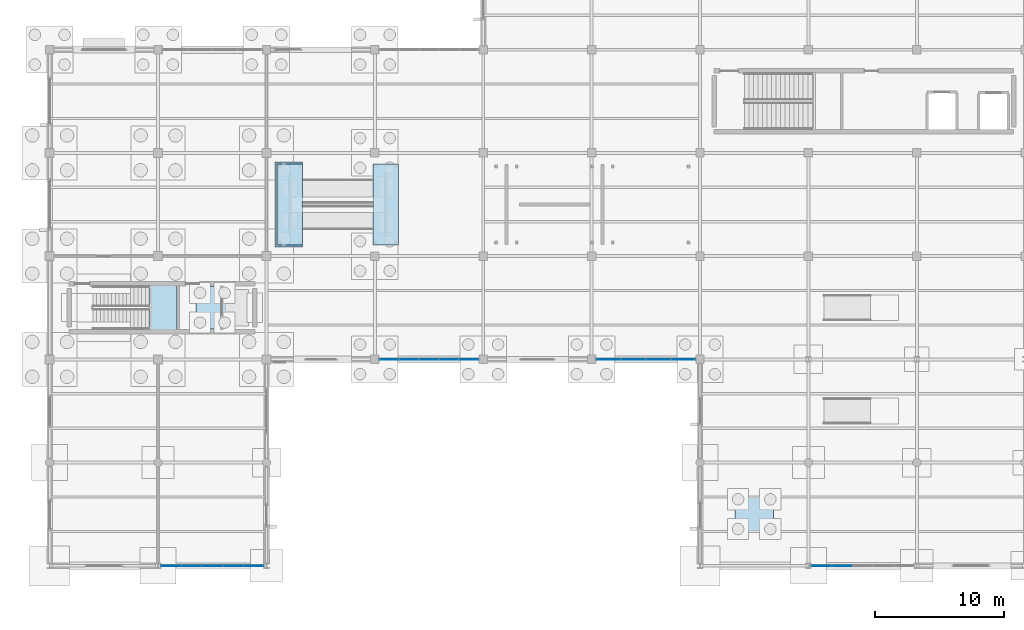
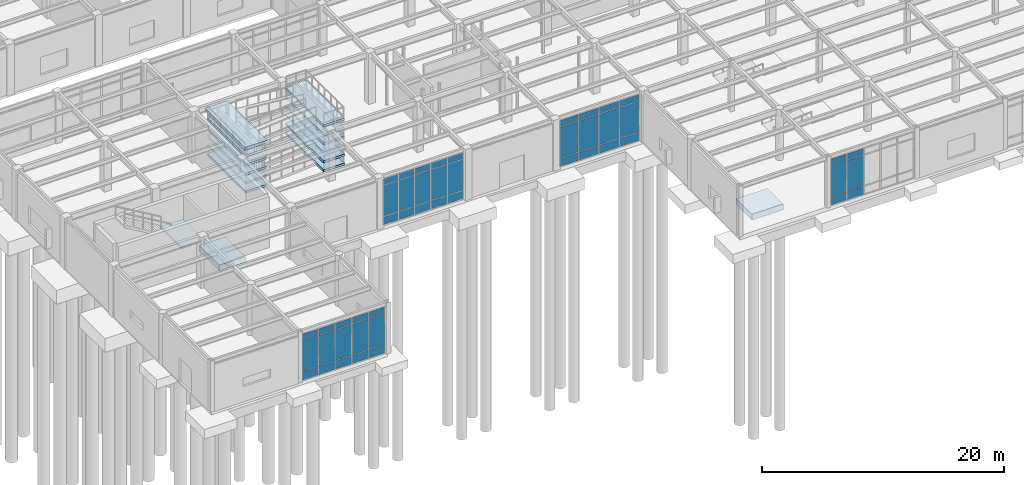
# One storey, part 64 of 138: 48 plates, 15 slabs, 6 elements without a shape of their own.
"""IFC4 building model written with IfcOpenShell, lengths in metres."""

from ifc_helpers import new_model, si_unit, direction, frame, origin, origin_2d, place, context, subcontext, project, spatial, polyline, rectangle, outline, extrude, material, layer, layer_set, type_object, element, aggregate, save


model = new_model("IFC4")

# Units and contexts
model_context = context("Model", 3, precision=1e-05, world=origin(), true_north=direction((0.0, 1.0)))
body_context = subcontext(model_context, "Body", "Model", "MODEL_VIEW")
ifc_project = project(units=[si_unit("LENGTHUNIT", "METRE"), si_unit("AREAUNIT", "SQUARE_METRE"), si_unit("VOLUMEUNIT", "CUBIC_METRE"), si_unit("PLANEANGLEUNIT", "RADIAN"), si_unit("MASSUNIT", "GRAM", prefix="KILO")], contexts=[model_context])

# Site, building, storey
site_placement = place(None, origin())
site = spatial("IfcSite", under=ifc_project, at=site_placement, CompositionType="ELEMENT")
building_placement = place(site_placement, origin())
building = spatial("IfcBuilding", under=site, at=building_placement, Name="Kranzveld Transit Interchange", CompositionType="ELEMENT")
storey_placement = place(building_placement, origin())
storey = spatial("IfcBuildingStorey", under=building, at=storey_placement, Name="L00", CompositionType="ELEMENT", Elevation=0.0)

# Curtain wall, plates
ifc_material_1 = material(Name="Bronze-anodised thermally broken aluminium", Category="aluminium")
ifc_layer_1 = layer(ifc_material_1, 0.159912109375)
ifc_layer_set_1 = layer_set([ifc_layer_1], Name="Bronze-anodised thermally broken aluminium")
curtain_wall_type_1 = type_object("IfcCurtainWallType", Name="Bus Boarding Glazed Screen CW-3", PredefinedType="USERDEFINED", material=ifc_layer_set_1)
curtain_wall_1_placement = place(storey_placement, origin())
curtain_wall_1 = element("IfcCurtainWall", 1, at=curtain_wall_1_placement, inside=storey, type_object=curtain_wall_type_1, Name="L00 Curtain Wall 06/C-07/C", ObjectType="CURTAIN WALL", PredefinedType="USERDEFINED")
ifc_material_2 = material(Name="Solar-control double glazing", Category="glass")
ifc_layer_2 = layer(ifc_material_2, 0.031982421875)
ifc_layer_set_2 = layer_set([ifc_layer_2], Name="Solar-control double glazing")
plate_type_1 = type_object("IfcPlateType", Name="Curtain Panel Acoustic Glazing 32", PredefinedType="CURTAIN_PANEL", material=ifc_layer_set_2)
plate_1_placement = place(storey_placement, frame((43.308837890625, 16.0, 0.06005859375), z_axis=(0.0, 0.0, 1.0), x_axis=(1.0, 0.0, 0.0)))
plate_1 = element("IfcPlate", 2, at=plate_1_placement, type_object=plate_type_1, Name="CW-3 panel 1.1", PredefinedType="CURTAIN_PANEL", context=body_context, shape_type="SweptSolid", body=[
    extrude(rectangle(XDim=1.847412109375, YDim=0.031982421875, at=origin_2d()), origin(), (0.0, 0.0, 1.0), 0.81005859375),
])
plate_2_placement = place(storey_placement, frame((43.308837890625, 16.0, 0.929931640625), z_axis=(0.0, 0.0, 1.0), x_axis=(1.0, 0.0, 0.0)))
plate_2 = element("IfcPlate", 3, at=plate_2_placement, type_object=plate_type_1, Name="CW-3 panel 1.2", PredefinedType="CURTAIN_PANEL", context=body_context, shape_type="SweptSolid", body=[
    extrude(rectangle(XDim=1.847412109375, YDim=0.031982421875, at=origin_2d()), origin(), (0.0, 0.0, 1.0), 3.08056640625),
])
plate_3_placement = place(storey_placement, frame((43.308837890625, 16.0, 4.0703125), z_axis=(0.0, 0.0, 1.0), x_axis=(1.0, 0.0, 0.0)))
plate_3 = element("IfcPlate", 4, at=plate_3_placement, type_object=plate_type_1, Name="CW-3 panel 1.3", PredefinedType="CURTAIN_PANEL", context=body_context, shape_type="SweptSolid", body=[
    extrude(rectangle(XDim=1.847412109375, YDim=0.031982421875, at=origin_2d()), origin(), (0.0, 0.0, 1.0), 0.610107421875),
])
plate_4_placement = place(storey_placement, frame((45.231201171875, 16.0, 0.06005859375), z_axis=(0.0, 0.0, 1.0), x_axis=(1.0, 0.0, 0.0)))
plate_4 = element("IfcPlate", 5, at=plate_4_placement, type_object=plate_type_1, Name="CW-3 panel 2.1", PredefinedType="CURTAIN_PANEL", context=body_context, shape_type="SweptSolid", body=[
    extrude(rectangle(XDim=1.87744140625, YDim=0.031982421875, at=origin_2d()), origin(), (0.0, 0.0, 1.0), 0.81005859375),
])
plate_5_placement = place(storey_placement, frame((45.231201171875, 16.0, 0.929931640625), z_axis=(0.0, 0.0, 1.0), x_axis=(1.0, 0.0, 0.0)))
plate_5 = element("IfcPlate", 6, at=plate_5_placement, type_object=plate_type_1, Name="CW-3 panel 2.2", PredefinedType="CURTAIN_PANEL", context=body_context, shape_type="SweptSolid", body=[
    extrude(rectangle(XDim=1.87744140625, YDim=0.031982421875, at=origin_2d()), origin(), (0.0, 0.0, 1.0), 3.08056640625),
])
plate_6_placement = place(storey_placement, frame((45.231201171875, 16.0, 4.0703125), z_axis=(0.0, 0.0, 1.0), x_axis=(1.0, 0.0, 0.0)))
plate_6 = element("IfcPlate", 7, at=plate_6_placement, type_object=plate_type_1, Name="CW-3 panel 2.3", PredefinedType="CURTAIN_PANEL", context=body_context, shape_type="SweptSolid", body=[
    extrude(rectangle(XDim=1.87744140625, YDim=0.031982421875, at=origin_2d()), origin(), (0.0, 0.0, 1.0), 0.610107421875),
])
plate_7_placement = place(storey_placement, frame((47.168701171875, 16.0, 0.06005859375), z_axis=(0.0, 0.0, 1.0), x_axis=(1.0, 0.0, 0.0)))
plate_7 = element("IfcPlate", 8, at=plate_7_placement, type_object=plate_type_1, Name="CW-3 panel 3.1", PredefinedType="CURTAIN_PANEL", context=body_context, shape_type="SweptSolid", body=[
    extrude(rectangle(XDim=1.87744140625, YDim=0.031982421875, at=origin_2d()), origin(), (0.0, 0.0, 1.0), 0.81005859375),
])
plate_8_placement = place(storey_placement, frame((47.168701171875, 16.0, 0.929931640625), z_axis=(0.0, 0.0, 1.0), x_axis=(1.0, 0.0, 0.0)))
plate_8 = element("IfcPlate", 9, at=plate_8_placement, type_object=plate_type_1, Name="CW-3 panel 3.2", PredefinedType="CURTAIN_PANEL", context=body_context, shape_type="SweptSolid", body=[
    extrude(rectangle(XDim=1.87744140625, YDim=0.031982421875, at=origin_2d()), origin(), (0.0, 0.0, 1.0), 3.08056640625),
])
plate_9_placement = place(storey_placement, frame((47.168701171875, 16.0, 4.0703125), z_axis=(0.0, 0.0, 1.0), x_axis=(1.0, 0.0, 0.0)))
plate_9 = element("IfcPlate", 10, at=plate_9_placement, type_object=plate_type_1, Name="CW-3 panel 3.3", PredefinedType="CURTAIN_PANEL", context=body_context, shape_type="SweptSolid", body=[
    extrude(rectangle(XDim=1.87744140625, YDim=0.031982421875, at=origin_2d()), origin(), (0.0, 0.0, 1.0), 0.610107421875),
])
plate_10_placement = place(storey_placement, frame((49.09130859375, 16.0, 0.06005859375), z_axis=(0.0, 0.0, 1.0), x_axis=(1.0, 0.0, 0.0)))
plate_10 = element("IfcPlate", 11, at=plate_10_placement, type_object=plate_type_1, Name="CW-3 panel 4.1", PredefinedType="CURTAIN_PANEL", context=body_context, shape_type="SweptSolid", body=[
    extrude(rectangle(XDim=1.847412109375, YDim=0.031982421875, at=origin_2d()), origin(), (0.0, 0.0, 1.0), 0.81005859375),
])
plate_11_placement = place(storey_placement, frame((49.09130859375, 16.0, 0.929931640625), z_axis=(0.0, 0.0, 1.0), x_axis=(1.0, 0.0, 0.0)))
plate_11 = element("IfcPlate", 12, at=plate_11_placement, type_object=plate_type_1, Name="CW-3 panel 4.2", PredefinedType="CURTAIN_PANEL", context=body_context, shape_type="SweptSolid", body=[
    extrude(rectangle(XDim=1.847412109375, YDim=0.031982421875, at=origin_2d()), origin(), (0.0, 0.0, 1.0), 3.08056640625),
])
plate_12_placement = place(storey_placement, frame((49.09130859375, 16.0, 4.0703125), z_axis=(0.0, 0.0, 1.0), x_axis=(1.0, 0.0, 0.0)))
plate_12 = element("IfcPlate", 13, at=plate_12_placement, type_object=plate_type_1, Name="CW-3 panel 4.3", PredefinedType="CURTAIN_PANEL", context=body_context, shape_type="SweptSolid", body=[
    extrude(rectangle(XDim=1.847412109375, YDim=0.031982421875, at=origin_2d()), origin(), (0.0, 0.0, 1.0), 0.610107421875),
])
aggregate(curtain_wall_1, [plate_1, plate_2, plate_3, plate_4, plate_5, plate_6, plate_7, plate_8, plate_9, plate_10, plate_11, plate_12])

ifc_material_3 = material(Name="Bronze-anodised thermally broken aluminium", Category="aluminium")
ifc_layer_3 = layer(ifc_material_3, 0.1650390625)
ifc_layer_set_3 = layer_set([ifc_layer_3], Name="Bronze-anodised thermally broken aluminium")
curtain_wall_type_2 = type_object("IfcCurtainWallType", Name="Sunny Court Arcade Curtain Wall CW-2", PredefinedType="USERDEFINED", material=ifc_layer_set_3)
curtain_wall_2_placement = place(storey_placement, origin())
curtain_wall_2 = element("IfcCurtainWall", 14, at=curtain_wall_2_placement, inside=storey, type_object=curtain_wall_type_2, Name="L00 Curtain Wall 04/C-05/C", ObjectType="CURTAIN WALL", PredefinedType="USERDEFINED")
ifc_material_4 = material(Name="Solar-control double glazing", Category="glass")
ifc_layer_4 = layer(ifc_material_4, 0.02392578125)
ifc_layer_set_4 = layer_set([ifc_layer_4], Name="Solar-control double glazing")
plate_type_2 = type_object("IfcPlateType", Name="Curtain Panel Clear Glazing 24", PredefinedType="CURTAIN_PANEL", material=ifc_layer_set_4)
plate_13_placement = place(storey_placement, frame((26.316162109375, 16.0, 0.06005859375), z_axis=(0.0, 0.0, 1.0), x_axis=(1.0, 0.0, 0.0)))
plate_13 = element("IfcPlate", 15, at=plate_13_placement, type_object=plate_type_2, Name="CW-2 panel 1.1", PredefinedType="CURTAIN_PANEL", context=body_context, shape_type="SweptSolid", body=[
    extrude(rectangle(XDim=1.452392578125, YDim=0.02392578125, at=origin_2d()), origin(), (0.0, 0.0, 1.0), 0.81005859375),
])
plate_14_placement = place(storey_placement, frame((26.316162109375, 16.0, 0.929931640625), z_axis=(0.0, 0.0, 1.0), x_axis=(1.0, 0.0, 0.0)))
plate_14 = element("IfcPlate", 16, at=plate_14_placement, type_object=plate_type_2, Name="CW-2 panel 1.2", PredefinedType="CURTAIN_PANEL", context=body_context, shape_type="SweptSolid", body=[
    extrude(rectangle(XDim=1.452392578125, YDim=0.02392578125, at=origin_2d()), origin(), (0.0, 0.0, 1.0), 3.08056640625),
])
plate_15_placement = place(storey_placement, frame((26.316162109375, 16.0, 4.0703125), z_axis=(0.0, 0.0, 1.0), x_axis=(1.0, 0.0, 0.0)))
plate_15 = element("IfcPlate", 17, at=plate_15_placement, type_object=plate_type_2, Name="CW-2 panel 1.3", PredefinedType="CURTAIN_PANEL", context=body_context, shape_type="SweptSolid", body=[
    extrude(rectangle(XDim=1.452392578125, YDim=0.02392578125, at=origin_2d()), origin(), (0.0, 0.0, 1.0), 0.610107421875),
])
plate_16_placement = place(storey_placement, frame((27.85009765625, 16.0, 0.06005859375), z_axis=(0.0, 0.0, 1.0), x_axis=(1.0, 0.0, 0.0)))
plate_16 = element("IfcPlate", 18, at=plate_16_placement, type_object=plate_type_2, Name="CW-2 panel 2.1", PredefinedType="CURTAIN_PANEL", context=body_context, shape_type="SweptSolid", body=[
    extrude(rectangle(XDim=1.485107421875, YDim=0.02392578125, at=origin_2d()), origin(), (0.0, 0.0, 1.0), 0.81005859375),
])
plate_17_placement = place(storey_placement, frame((27.85009765625, 16.0, 0.929931640625), z_axis=(0.0, 0.0, 1.0), x_axis=(1.0, 0.0, 0.0)))
plate_17 = element("IfcPlate", 19, at=plate_17_placement, type_object=plate_type_2, Name="CW-2 panel 2.2", PredefinedType="CURTAIN_PANEL", context=body_context, shape_type="SweptSolid", body=[
    extrude(rectangle(XDim=1.485107421875, YDim=0.02392578125, at=origin_2d()), origin(), (0.0, 0.0, 1.0), 3.08056640625),
])
plate_18_placement = place(storey_placement, frame((27.85009765625, 16.0, 4.0703125), z_axis=(0.0, 0.0, 1.0), x_axis=(1.0, 0.0, 0.0)))
plate_18 = element("IfcPlate", 20, at=plate_18_placement, type_object=plate_type_2, Name="CW-2 panel 2.3", PredefinedType="CURTAIN_PANEL", context=body_context, shape_type="SweptSolid", body=[
    extrude(rectangle(XDim=1.485107421875, YDim=0.02392578125, at=origin_2d()), origin(), (0.0, 0.0, 1.0), 0.610107421875),
])
plate_19_placement = place(storey_placement, frame((29.39990234375, 16.0, 0.06005859375), z_axis=(0.0, 0.0, 1.0), x_axis=(1.0, 0.0, 0.0)))
plate_19 = element("IfcPlate", 21, at=plate_19_placement, type_object=plate_type_2, Name="CW-2 panel 3.1", PredefinedType="CURTAIN_PANEL", context=body_context, shape_type="SweptSolid", body=[
    extrude(rectangle(XDim=1.485107421875, YDim=0.02392578125, at=origin_2d()), origin(), (0.0, 0.0, 1.0), 0.81005859375),
])
plate_20_placement = place(storey_placement, frame((29.39990234375, 16.0, 0.929931640625), z_axis=(0.0, 0.0, 1.0), x_axis=(1.0, 0.0, 0.0)))
plate_20 = element("IfcPlate", 22, at=plate_20_placement, type_object=plate_type_2, Name="CW-2 panel 3.2", PredefinedType="CURTAIN_PANEL", context=body_context, shape_type="SweptSolid", body=[
    extrude(rectangle(XDim=1.485107421875, YDim=0.02392578125, at=origin_2d()), origin(), (0.0, 0.0, 1.0), 3.08056640625),
])
plate_21_placement = place(storey_placement, frame((29.39990234375, 16.0, 4.0703125), z_axis=(0.0, 0.0, 1.0), x_axis=(1.0, 0.0, 0.0)))
plate_21 = element("IfcPlate", 23, at=plate_21_placement, type_object=plate_type_2, Name="CW-2 panel 3.3", PredefinedType="CURTAIN_PANEL", context=body_context, shape_type="SweptSolid", body=[
    extrude(rectangle(XDim=1.485107421875, YDim=0.02392578125, at=origin_2d()), origin(), (0.0, 0.0, 1.0), 0.610107421875),
])
plate_22_placement = place(storey_placement, frame((30.949951171875, 16.0, 0.06005859375), z_axis=(0.0, 0.0, 1.0), x_axis=(1.0, 0.0, 0.0)))
plate_22 = element("IfcPlate", 24, at=plate_22_placement, type_object=plate_type_2, Name="CW-2 panel 4.1", PredefinedType="CURTAIN_PANEL", context=body_context, shape_type="SweptSolid", body=[
    extrude(rectangle(XDim=1.485107421875, YDim=0.02392578125, at=origin_2d()), origin(), (0.0, 0.0, 1.0), 0.81005859375),
])
plate_23_placement = place(storey_placement, frame((30.949951171875, 16.0, 0.929931640625), z_axis=(0.0, 0.0, 1.0), x_axis=(1.0, 0.0, 0.0)))
plate_23 = element("IfcPlate", 25, at=plate_23_placement, type_object=plate_type_2, Name="CW-2 panel 4.2", PredefinedType="CURTAIN_PANEL", context=body_context, shape_type="SweptSolid", body=[
    extrude(rectangle(XDim=1.485107421875, YDim=0.02392578125, at=origin_2d()), origin(), (0.0, 0.0, 1.0), 3.08056640625),
])
plate_24_placement = place(storey_placement, frame((30.949951171875, 16.0, 4.0703125), z_axis=(0.0, 0.0, 1.0), x_axis=(1.0, 0.0, 0.0)))
plate_24 = element("IfcPlate", 26, at=plate_24_placement, type_object=plate_type_2, Name="CW-2 panel 4.3", PredefinedType="CURTAIN_PANEL", context=body_context, shape_type="SweptSolid", body=[
    extrude(rectangle(XDim=1.485107421875, YDim=0.02392578125, at=origin_2d()), origin(), (0.0, 0.0, 1.0), 0.610107421875),
])
plate_25_placement = place(storey_placement, frame((32.483642578125, 16.0, 0.06005859375), z_axis=(0.0, 0.0, 1.0), x_axis=(1.0, 0.0, 0.0)))
plate_25 = element("IfcPlate", 27, at=plate_25_placement, type_object=plate_type_2, Name="CW-2 panel 5.1", PredefinedType="CURTAIN_PANEL", context=body_context, shape_type="SweptSolid", body=[
    extrude(rectangle(XDim=1.452392578125, YDim=0.02392578125, at=origin_2d()), origin(), (0.0, 0.0, 1.0), 0.81005859375),
])
plate_26_placement = place(storey_placement, frame((32.483642578125, 16.0, 0.929931640625), z_axis=(0.0, 0.0, 1.0), x_axis=(1.0, 0.0, 0.0)))
plate_26 = element("IfcPlate", 28, at=plate_26_placement, type_object=plate_type_2, Name="CW-2 panel 5.2", PredefinedType="CURTAIN_PANEL", context=body_context, shape_type="SweptSolid", body=[
    extrude(rectangle(XDim=1.452392578125, YDim=0.02392578125, at=origin_2d()), origin(), (0.0, 0.0, 1.0), 3.08056640625),
])
plate_27_placement = place(storey_placement, frame((32.483642578125, 16.0, 4.0703125), z_axis=(0.0, 0.0, 1.0), x_axis=(1.0, 0.0, 0.0)))
plate_27 = element("IfcPlate", 29, at=plate_27_placement, type_object=plate_type_2, Name="CW-2 panel 5.3", PredefinedType="CURTAIN_PANEL", context=body_context, shape_type="SweptSolid", body=[
    extrude(rectangle(XDim=1.452392578125, YDim=0.02392578125, at=origin_2d()), origin(), (0.0, 0.0, 1.0), 0.610107421875),
])
aggregate(curtain_wall_2, [plate_13, plate_14, plate_15, plate_16, plate_17, plate_18, plate_19, plate_20, plate_21, plate_22, plate_23, plate_24, plate_25, plate_26, plate_27])

ifc_material_5 = material(Name="Bronze-anodised thermally broken aluminium", Category="aluminium")
ifc_layer_5 = layer(ifc_material_5, 0.14990234375)
ifc_layer_set_5 = layer_set([ifc_layer_5], Name="Bronze-anodised thermally broken aluminium")
curtain_wall_type_3 = type_object("IfcCurtainWallType", Name="Public Passage Clerestory Screen CW-4", PredefinedType="USERDEFINED", material=ifc_layer_set_5)
curtain_wall_3_placement = place(storey_placement, origin())
curtain_wall_3 = element("IfcCurtainWall", 30, at=curtain_wall_3_placement, inside=storey, type_object=curtain_wall_type_3, Name="L00 Curtain Wall 08/A-09/A", ObjectType="CURTAIN WALL", PredefinedType="USERDEFINED")
ifc_material_6 = material(Name="Solar-control double glazing", Category="glass")
ifc_layer_6 = layer(ifc_material_6, 0.0419921875)
ifc_layer_set_6 = layer_set([ifc_layer_6], Name="Solar-control double glazing")
plate_type_3 = type_object("IfcPlateType", Name="Curtain Panel Laminated Glazing 42", PredefinedType="CURTAIN_PANEL", material=ifc_layer_set_6)
plate_28_placement = place(storey_placement, frame((59.814697265625, 0.0, 0.06005859375), z_axis=(0.0, 0.0, 1.0), x_axis=(1.0, 0.0, 0.0)))
plate_28 = element("IfcPlate", 31, at=plate_28_placement, type_object=plate_type_3, Name="CW-4 panel 1.1", PredefinedType="CURTAIN_PANEL", context=body_context, shape_type="SweptSolid", body=[
    extrude(rectangle(XDim=1.51025390625, YDim=0.0419921875, at=origin_2d()), origin(), (0.0, 0.0, 1.0), 0.81005859375),
])
plate_29_placement = place(storey_placement, frame((59.814697265625, 0.0, 0.929931640625), z_axis=(0.0, 0.0, 1.0), x_axis=(1.0, 0.0, 0.0)))
plate_29 = element("IfcPlate", 32, at=plate_29_placement, type_object=plate_type_3, Name="CW-4 panel 1.2", PredefinedType="CURTAIN_PANEL", context=body_context, shape_type="SweptSolid", body=[
    extrude(rectangle(XDim=1.51025390625, YDim=0.0419921875, at=origin_2d()), origin(), (0.0, 0.0, 1.0), 3.08056640625),
])
plate_30_placement = place(storey_placement, frame((59.814697265625, 0.0, 4.0703125), z_axis=(0.0, 0.0, 1.0), x_axis=(1.0, 0.0, 0.0)))
plate_30 = element("IfcPlate", 33, at=plate_30_placement, type_object=plate_type_3, Name="CW-4 panel 1.3", PredefinedType="CURTAIN_PANEL", context=body_context, shape_type="SweptSolid", body=[
    extrude(rectangle(XDim=1.51025390625, YDim=0.0419921875, at=origin_2d()), origin(), (0.0, 0.0, 1.0), 0.610107421875),
])
plate_31_placement = place(storey_placement, frame((61.39990234375, 0.0, 0.06005859375), z_axis=(0.0, 0.0, 1.0), x_axis=(1.0, 0.0, 0.0)))
plate_31 = element("IfcPlate", 34, at=plate_31_placement, type_object=plate_type_3, Name="CW-4 panel 2.1", PredefinedType="CURTAIN_PANEL", context=body_context, shape_type="SweptSolid", body=[
    extrude(rectangle(XDim=1.540283203125, YDim=0.0419921875, at=origin_2d()), origin(), (0.0, 0.0, 1.0), 0.81005859375),
])
plate_32_placement = place(storey_placement, frame((61.39990234375, 0.0, 0.929931640625), z_axis=(0.0, 0.0, 1.0), x_axis=(1.0, 0.0, 0.0)))
plate_32 = element("IfcPlate", 35, at=plate_32_placement, type_object=plate_type_3, Name="CW-4 panel 2.2", PredefinedType="CURTAIN_PANEL", context=body_context, shape_type="SweptSolid", body=[
    extrude(rectangle(XDim=1.540283203125, YDim=0.0419921875, at=origin_2d()), origin(), (0.0, 0.0, 1.0), 3.08056640625),
])
plate_33_placement = place(storey_placement, frame((61.39990234375, 0.0, 4.0703125), z_axis=(0.0, 0.0, 1.0), x_axis=(1.0, 0.0, 0.0)))
plate_33 = element("IfcPlate", 36, at=plate_33_placement, type_object=plate_type_3, Name="CW-4 panel 2.3", PredefinedType="CURTAIN_PANEL", context=body_context, shape_type="SweptSolid", body=[
    extrude(rectangle(XDim=1.540283203125, YDim=0.0419921875, at=origin_2d()), origin(), (0.0, 0.0, 1.0), 0.610107421875),
])
aggregate(curtain_wall_3, [plate_28, plate_29, plate_30, plate_31, plate_32, plate_33])

curtain_wall_4_placement = place(storey_placement, origin())
curtain_wall_4 = element("IfcCurtainWall", 37, at=curtain_wall_4_placement, inside=storey, type_object=curtain_wall_type_3, Name="L00 Curtain Wall 02/A-03/A", ObjectType="CURTAIN WALL", PredefinedType="USERDEFINED")
plate_34_placement = place(storey_placement, frame((9.41455078125, 0.0, 0.06005859375), z_axis=(0.0, 0.0, 1.0), x_axis=(1.0, 0.0, 0.0)))
plate_34 = element("IfcPlate", 38, at=plate_34_placement, type_object=plate_type_3, Name="CW-4 panel 1.1", PredefinedType="CURTAIN_PANEL", context=body_context, shape_type="SweptSolid", body=[
    extrude(rectangle(XDim=1.51025390625, YDim=0.0419921875, at=origin_2d()), origin(), (0.0, 0.0, 1.0), 0.81005859375),
])
plate_35_placement = place(storey_placement, frame((9.41455078125, 0.0, 0.929931640625), z_axis=(0.0, 0.0, 1.0), x_axis=(1.0, 0.0, 0.0)))
plate_35 = element("IfcPlate", 39, at=plate_35_placement, type_object=plate_type_3, Name="CW-4 panel 1.2", PredefinedType="CURTAIN_PANEL", context=body_context, shape_type="SweptSolid", body=[
    extrude(rectangle(XDim=1.51025390625, YDim=0.0419921875, at=origin_2d()), origin(), (0.0, 0.0, 1.0), 3.08056640625),
])
plate_36_placement = place(storey_placement, frame((9.41455078125, 0.0, 4.0703125), z_axis=(0.0, 0.0, 1.0), x_axis=(1.0, 0.0, 0.0)))
plate_36 = element("IfcPlate", 40, at=plate_36_placement, type_object=plate_type_3, Name="CW-4 panel 1.3", PredefinedType="CURTAIN_PANEL", context=body_context, shape_type="SweptSolid", body=[
    extrude(rectangle(XDim=1.51025390625, YDim=0.0419921875, at=origin_2d()), origin(), (0.0, 0.0, 1.0), 0.610107421875),
])
plate_37_placement = place(storey_placement, frame((10.999755859375, 0.0, 0.06005859375), z_axis=(0.0, 0.0, 1.0), x_axis=(1.0, 0.0, 0.0)))
plate_37 = element("IfcPlate", 41, at=plate_37_placement, type_object=plate_type_3, Name="CW-4 panel 2.1", PredefinedType="CURTAIN_PANEL", context=body_context, shape_type="SweptSolid", body=[
    extrude(rectangle(XDim=1.540283203125, YDim=0.0419921875, at=origin_2d()), origin(), (0.0, 0.0, 1.0), 0.81005859375),
])
plate_38_placement = place(storey_placement, frame((10.999755859375, 0.0, 0.929931640625), z_axis=(0.0, 0.0, 1.0), x_axis=(1.0, 0.0, 0.0)))
plate_38 = element("IfcPlate", 42, at=plate_38_placement, type_object=plate_type_3, Name="CW-4 panel 2.2", PredefinedType="CURTAIN_PANEL", context=body_context, shape_type="SweptSolid", body=[
    extrude(rectangle(XDim=1.540283203125, YDim=0.0419921875, at=origin_2d()), origin(), (0.0, 0.0, 1.0), 3.08056640625),
])
plate_39_placement = place(storey_placement, frame((10.999755859375, 0.0, 4.0703125), z_axis=(0.0, 0.0, 1.0), x_axis=(1.0, 0.0, 0.0)))
plate_39 = element("IfcPlate", 43, at=plate_39_placement, type_object=plate_type_3, Name="CW-4 panel 2.3", PredefinedType="CURTAIN_PANEL", context=body_context, shape_type="SweptSolid", body=[
    extrude(rectangle(XDim=1.540283203125, YDim=0.0419921875, at=origin_2d()), origin(), (0.0, 0.0, 1.0), 0.610107421875),
])
plate_40_placement = place(storey_placement, frame((12.60009765625, 0.0, 0.06005859375), z_axis=(0.0, 0.0, 1.0), x_axis=(1.0, 0.0, 0.0)))
plate_40 = element("IfcPlate", 44, at=plate_40_placement, type_object=plate_type_3, Name="CW-4 panel 3.1", PredefinedType="CURTAIN_PANEL", context=body_context, shape_type="SweptSolid", body=[
    extrude(rectangle(XDim=1.540283203125, YDim=0.0419921875, at=origin_2d()), origin(), (0.0, 0.0, 1.0), 0.81005859375),
])
plate_41_placement = place(storey_placement, frame((12.60009765625, 0.0, 0.929931640625), z_axis=(0.0, 0.0, 1.0), x_axis=(1.0, 0.0, 0.0)))
plate_41 = element("IfcPlate", 45, at=plate_41_placement, type_object=plate_type_3, Name="CW-4 panel 3.2", PredefinedType="CURTAIN_PANEL", context=body_context, shape_type="SweptSolid", body=[
    extrude(rectangle(XDim=1.540283203125, YDim=0.0419921875, at=origin_2d()), origin(), (0.0, 0.0, 1.0), 3.08056640625),
])
plate_42_placement = place(storey_placement, frame((12.60009765625, 0.0, 4.0703125), z_axis=(0.0, 0.0, 1.0), x_axis=(1.0, 0.0, 0.0)))
plate_42 = element("IfcPlate", 46, at=plate_42_placement, type_object=plate_type_3, Name="CW-4 panel 3.3", PredefinedType="CURTAIN_PANEL", context=body_context, shape_type="SweptSolid", body=[
    extrude(rectangle(XDim=1.540283203125, YDim=0.0419921875, at=origin_2d()), origin(), (0.0, 0.0, 1.0), 0.610107421875),
])
plate_43_placement = place(storey_placement, frame((14.2001953125, 0.0, 0.06005859375), z_axis=(0.0, 0.0, 1.0), x_axis=(1.0, 0.0, 0.0)))
plate_43 = element("IfcPlate", 47, at=plate_43_placement, type_object=plate_type_3, Name="CW-4 panel 4.1", PredefinedType="CURTAIN_PANEL", context=body_context, shape_type="SweptSolid", body=[
    extrude(rectangle(XDim=1.540283203125, YDim=0.0419921875, at=origin_2d()), origin(), (0.0, 0.0, 1.0), 0.81005859375),
])
plate_44_placement = place(storey_placement, frame((14.2001953125, 0.0, 0.929931640625), z_axis=(0.0, 0.0, 1.0), x_axis=(1.0, 0.0, 0.0)))
plate_44 = element("IfcPlate", 48, at=plate_44_placement, type_object=plate_type_3, Name="CW-4 panel 4.2", PredefinedType="CURTAIN_PANEL", context=body_context, shape_type="SweptSolid", body=[
    extrude(rectangle(XDim=1.540283203125, YDim=0.0419921875, at=origin_2d()), origin(), (0.0, 0.0, 1.0), 3.08056640625),
])
plate_45_placement = place(storey_placement, frame((14.2001953125, 0.0, 4.0703125), z_axis=(0.0, 0.0, 1.0), x_axis=(1.0, 0.0, 0.0)))
plate_45 = element("IfcPlate", 49, at=plate_45_placement, type_object=plate_type_3, Name="CW-4 panel 4.3", PredefinedType="CURTAIN_PANEL", context=body_context, shape_type="SweptSolid", body=[
    extrude(rectangle(XDim=1.540283203125, YDim=0.0419921875, at=origin_2d()), origin(), (0.0, 0.0, 1.0), 0.610107421875),
])
plate_46_placement = place(storey_placement, frame((15.785400390625, 0.0, 0.06005859375), z_axis=(0.0, 0.0, 1.0), x_axis=(1.0, 0.0, 0.0)))
plate_46 = element("IfcPlate", 50, at=plate_46_placement, type_object=plate_type_3, Name="CW-4 panel 5.1", PredefinedType="CURTAIN_PANEL", context=body_context, shape_type="SweptSolid", body=[
    extrude(rectangle(XDim=1.51025390625, YDim=0.0419921875, at=origin_2d()), origin(), (0.0, 0.0, 1.0), 0.81005859375),
])
plate_47_placement = place(storey_placement, frame((15.785400390625, 0.0, 0.929931640625), z_axis=(0.0, 0.0, 1.0), x_axis=(1.0, 0.0, 0.0)))
plate_47 = element("IfcPlate", 51, at=plate_47_placement, type_object=plate_type_3, Name="CW-4 panel 5.2", PredefinedType="CURTAIN_PANEL", context=body_context, shape_type="SweptSolid", body=[
    extrude(rectangle(XDim=1.51025390625, YDim=0.0419921875, at=origin_2d()), origin(), (0.0, 0.0, 1.0), 3.08056640625),
])
plate_48_placement = place(storey_placement, frame((15.785400390625, 0.0, 4.0703125), z_axis=(0.0, 0.0, 1.0), x_axis=(1.0, 0.0, 0.0)))
plate_48 = element("IfcPlate", 52, at=plate_48_placement, type_object=plate_type_3, Name="CW-4 panel 5.3", PredefinedType="CURTAIN_PANEL", context=body_context, shape_type="SweptSolid", body=[
    extrude(rectangle(XDim=1.51025390625, YDim=0.0419921875, at=origin_2d()), origin(), (0.0, 0.0, 1.0), 0.610107421875),
])
aggregate(curtain_wall_4, [plate_34, plate_35, plate_36, plate_37, plate_38, plate_39, plate_40, plate_41, plate_42, plate_43, plate_44, plate_45, plate_46, plate_47, plate_48])

# Ramp, slabs
ifc_material_7 = material(Name="Concrete C35/45", Category="concrete")
ramp_type = type_object("IfcRampType", Name="Accessible Cycle Ramp 1:12 1850W C35/45", PredefinedType="STRAIGHT_RUN_RAMP", material=ifc_material_7)
ramp_placement = place(storey_placement, origin())
ramp = element("IfcRamp", 53, at=ramp_placement, inside=storey, type_object=ramp_type, Name="L00 Cycle Hub 1:12 Ramp RMP-1", PredefinedType="STRAIGHT_RUN_RAMP")
ifc_material_8 = material(Name="Concrete C35/45", Category="concrete")
ifc_layer_7 = layer(ifc_material_8, 0.219970703125)
ifc_layer_set_7 = layer_set([ifc_layer_7], Name="Concrete C35/45")
slab_type_1 = type_object("IfcSlabType", Name="Cycle Ramp Landing 220 C35/45", PredefinedType="LANDING", material=ifc_layer_set_7)
slab_1_placement = place(storey_placement, frame((0.0, 0.0, 0.2333984375)))
slab_1 = element("IfcSlab", 54, at=slab_1_placement, type_object=slab_type_1, Name="RMP-1 Landing 1", PredefinedType="LANDING", context=body_context, shape_type="SweptSolid", body=[
    extrude(outline(polyline([(25.0400390625, 24.85009765625), (27.0400390625, 24.85009765625), (27.0400390625, 31.14990234375), (25.0400390625, 31.14990234375), (25.0400390625, 24.85009765625)])), origin(), (0.0, 0.0, 1.0), 0.219970703125),
])
slab_2_placement = place(storey_placement, frame((0.0, 0.0, 0.686767578125)))
slab_2 = element("IfcSlab", 55, at=slab_2_placement, type_object=slab_type_1, Name="RMP-1 Landing 2", PredefinedType="LANDING", context=body_context, shape_type="SweptSolid", body=[
    extrude(outline(polyline([(17.60009765625, 24.85009765625), (19.60009765625, 24.85009765625), (19.60009765625, 31.14990234375), (17.60009765625, 31.14990234375), (17.60009765625, 24.85009765625)])), origin(), (0.0, 0.0, 1.0), 0.219970703125),
])
slab_3_placement = place(storey_placement, frame((0.0, 0.0, 1.139892578125)))
slab_3 = element("IfcSlab", 56, at=slab_3_placement, type_object=slab_type_1, Name="RMP-1 Landing 3", PredefinedType="LANDING", context=body_context, shape_type="SweptSolid", body=[
    extrude(outline(polyline([(25.0400390625, 24.85009765625), (27.0400390625, 24.85009765625), (27.0400390625, 31.14990234375), (25.0400390625, 31.14990234375), (25.0400390625, 24.85009765625)])), origin(), (0.0, 0.0, 1.0), 0.22021484375),
])
slab_4_placement = place(storey_placement, frame((0.0, 0.0, 1.59326171875)))
slab_4 = element("IfcSlab", 57, at=slab_4_placement, type_object=slab_type_1, Name="RMP-1 Landing 4", PredefinedType="LANDING", context=body_context, shape_type="SweptSolid", body=[
    extrude(outline(polyline([(17.60009765625, 24.85009765625), (19.60009765625, 24.85009765625), (19.60009765625, 31.14990234375), (17.60009765625, 31.14990234375), (17.60009765625, 24.85009765625)])), origin(), (0.0, 0.0, 1.0), 0.219970703125),
])
slab_5_placement = place(storey_placement, frame((0.0, 0.0, 2.046630859375)))
slab_5 = element("IfcSlab", 58, at=slab_5_placement, type_object=slab_type_1, Name="RMP-1 Landing 5", PredefinedType="LANDING", context=body_context, shape_type="SweptSolid", body=[
    extrude(outline(polyline([(25.0400390625, 24.85009765625), (27.0400390625, 24.85009765625), (27.0400390625, 31.14990234375), (25.0400390625, 31.14990234375), (25.0400390625, 24.85009765625)])), origin(), (0.0, 0.0, 1.0), 0.219970703125),
])
slab_6_placement = place(storey_placement, frame((0.0, 0.0, 2.5)))
slab_6 = element("IfcSlab", 59, at=slab_6_placement, type_object=slab_type_1, Name="RMP-1 Landing 6", PredefinedType="LANDING", context=body_context, shape_type="SweptSolid", body=[
    extrude(outline(polyline([(17.60009765625, 24.85009765625), (19.60009765625, 24.85009765625), (19.60009765625, 31.14990234375), (17.60009765625, 31.14990234375), (17.60009765625, 24.85009765625)])), origin(), (0.0, 0.0, 1.0), 0.219970703125),
])
slab_7_placement = place(storey_placement, frame((0.0, 0.0, 2.953369140625)))
slab_7 = element("IfcSlab", 60, at=slab_7_placement, type_object=slab_type_1, Name="RMP-1 Landing 7", PredefinedType="LANDING", context=body_context, shape_type="SweptSolid", body=[
    extrude(outline(polyline([(25.0400390625, 24.85009765625), (27.0400390625, 24.85009765625), (27.0400390625, 31.14990234375), (25.0400390625, 31.14990234375), (25.0400390625, 24.85009765625)])), origin(), (0.0, 0.0, 1.0), 0.219970703125),
])
slab_8_placement = place(storey_placement, frame((0.0, 0.0, 3.40673828125)))
slab_8 = element("IfcSlab", 61, at=slab_8_placement, type_object=slab_type_1, Name="RMP-1 Landing 8", PredefinedType="LANDING", context=body_context, shape_type="SweptSolid", body=[
    extrude(outline(polyline([(17.60009765625, 24.85009765625), (19.60009765625, 24.85009765625), (19.60009765625, 31.14990234375), (17.60009765625, 31.14990234375), (17.60009765625, 24.85009765625)])), origin(), (0.0, 0.0, 1.0), 0.219970703125),
])
slab_9_placement = place(storey_placement, frame((0.0, 0.0, 3.860107421875)))
slab_9 = element("IfcSlab", 62, at=slab_9_placement, type_object=slab_type_1, Name="RMP-1 Landing 9", PredefinedType="LANDING", context=body_context, shape_type="SweptSolid", body=[
    extrude(outline(polyline([(25.0400390625, 24.85009765625), (27.0400390625, 24.85009765625), (27.0400390625, 31.14990234375), (25.0400390625, 31.14990234375), (25.0400390625, 24.85009765625)])), origin(), (0.0, 0.0, 1.0), 0.219970703125),
])
slab_10_placement = place(storey_placement, frame((0.0, 0.0, 4.313232421875)))
slab_10 = element("IfcSlab", 63, at=slab_10_placement, type_object=slab_type_1, Name="RMP-1 Landing 10", PredefinedType="LANDING", context=body_context, shape_type="SweptSolid", body=[
    extrude(outline(polyline([(17.60009765625, 24.85009765625), (19.60009765625, 24.85009765625), (19.60009765625, 31.14990234375), (17.60009765625, 31.14990234375), (17.60009765625, 24.85009765625)])), origin(), (0.0, 0.0, 1.0), 0.22021484375),
])
slab_11_placement = place(storey_placement, frame((0.0, 0.0, 4.7666015625)))
slab_11 = element("IfcSlab", 64, at=slab_11_placement, type_object=slab_type_1, Name="RMP-1 Landing 11", PredefinedType="LANDING", context=body_context, shape_type="SweptSolid", body=[
    extrude(outline(polyline([(25.0400390625, 24.85009765625), (27.0400390625, 24.85009765625), (27.0400390625, 31.14990234375), (25.0400390625, 31.14990234375), (25.0400390625, 24.85009765625)])), origin(), (0.0, 0.0, 1.0), 0.219970703125),
])
slab_12_placement = place(storey_placement, frame((0.0, 0.0, 5.14990234375)))
slab_12 = element("IfcSlab", 65, at=slab_12_placement, type_object=slab_type_1, Name="RMP-1 Arrival Bridge", PredefinedType="LANDING", context=body_context, shape_type="SweptSolid", body=[
    extrude(outline(polyline([(17.449951171875, 24.699951171875), (19.60009765625, 24.699951171875), (19.60009765625, 31.300048828125), (17.449951171875, 31.300048828125), (17.449951171875, 24.699951171875)])), origin(), (0.0, 0.0, 1.0), 0.2900390625),
])
aggregate(ramp, [slab_1, slab_2, slab_3, slab_4, slab_5, slab_6, slab_7, slab_8, slab_9, slab_10, slab_11, slab_12])

# Slabs
ifc_material_9 = material(Name="Concrete C40/50", Category="concrete")
ifc_layer_8 = layer(ifc_material_9, 0.60009765625)
ifc_layer_set_8 = layer_set([ifc_layer_8], Name="Concrete C40/50")
slab_type_2 = type_object("IfcSlabType", Name="Lift Pit Base Slab 600 C40/50", PredefinedType="BASESLAB", material=ifc_layer_set_8)
slab_13_placement = place(storey_placement, frame((0.0, 0.0, -1.02001953125)))
element("IfcSlab", 66, at=slab_13_placement, inside=storey, type_object=slab_type_2, Name="L00 Pit Base Slab PIT-C7", PredefinedType="BASESLAB", context=body_context, shape_type="SweptSolid", body=[
    extrude(outline(polyline([(11.35009765625, 18.35009765625), (13.85009765625, 18.35009765625), (13.85009765625, 21.64990234375), (11.35009765625, 21.64990234375), (11.35009765625, 18.35009765625)])), origin(), (0.0, 0.0, 1.0), 0.60009765625),
])
slab_14_placement = place(storey_placement, frame((0.0, 0.0, -1.02001953125)))
element("IfcSlab", 67, at=slab_14_placement, inside=storey, type_object=slab_type_2, Name="L00 Pit Base Slab PIT-S1", PredefinedType="BASESLAB", context=body_context, shape_type="SweptSolid", body=[
    extrude(outline(polyline([(53.10009765625, 2.699951171875), (56.10009765625, 2.699951171875), (56.10009765625, 5.300048828125), (53.10009765625, 5.300048828125), (53.10009765625, 2.699951171875)])), origin(), (0.0, 0.0, 1.0), 0.60009765625),
])

# Stair, slab
ifc_material_10 = material(Name="Concrete C35/45", Category="concrete")
stair_type = type_object("IfcStairType", Name="Dogleg Stair 1600W H5440 C35/45", PredefinedType="HALF_TURN_STAIR", material=ifc_material_10)
stair_placement = place(storey_placement, origin())
stair = element("IfcStair", 68, at=stair_placement, inside=storey, type_object=stair_type, Name="L00 Cycle Hub Core C7", PredefinedType="HALF_TURN_STAIR")
ifc_material_11 = material(Name="Concrete C35/45", Category="concrete")
ifc_layer_9 = layer(ifc_material_11, 0.199951171875)
ifc_layer_set_9 = layer_set([ifc_layer_9], Name="Concrete C35/45")
slab_type_3 = type_object("IfcSlabType", Name="Stair & Ramp Landing 200 C35/45", PredefinedType="LANDING", material=ifc_layer_set_9)
slab_15_placement = place(storey_placement, frame((0.0, 0.0, 2.52001953125)))
slab_15 = element("IfcSlab", 69, at=slab_15_placement, type_object=slab_type_3, Name="ST-CY1 landing 1", PredefinedType="LANDING", context=body_context, shape_type="SweptSolid", body=[
    extrude(outline(polyline([(7.699951171875, 18.284912109375), (9.85009765625, 18.284912109375), (9.85009765625, 21.715087890625), (7.699951171875, 21.715087890625), (7.699951171875, 18.284912109375)])), origin(), (0.0, 0.0, 1.0), 0.199951171875),
])
aggregate(stair, [slab_15])

save(model, "model.ifc")
